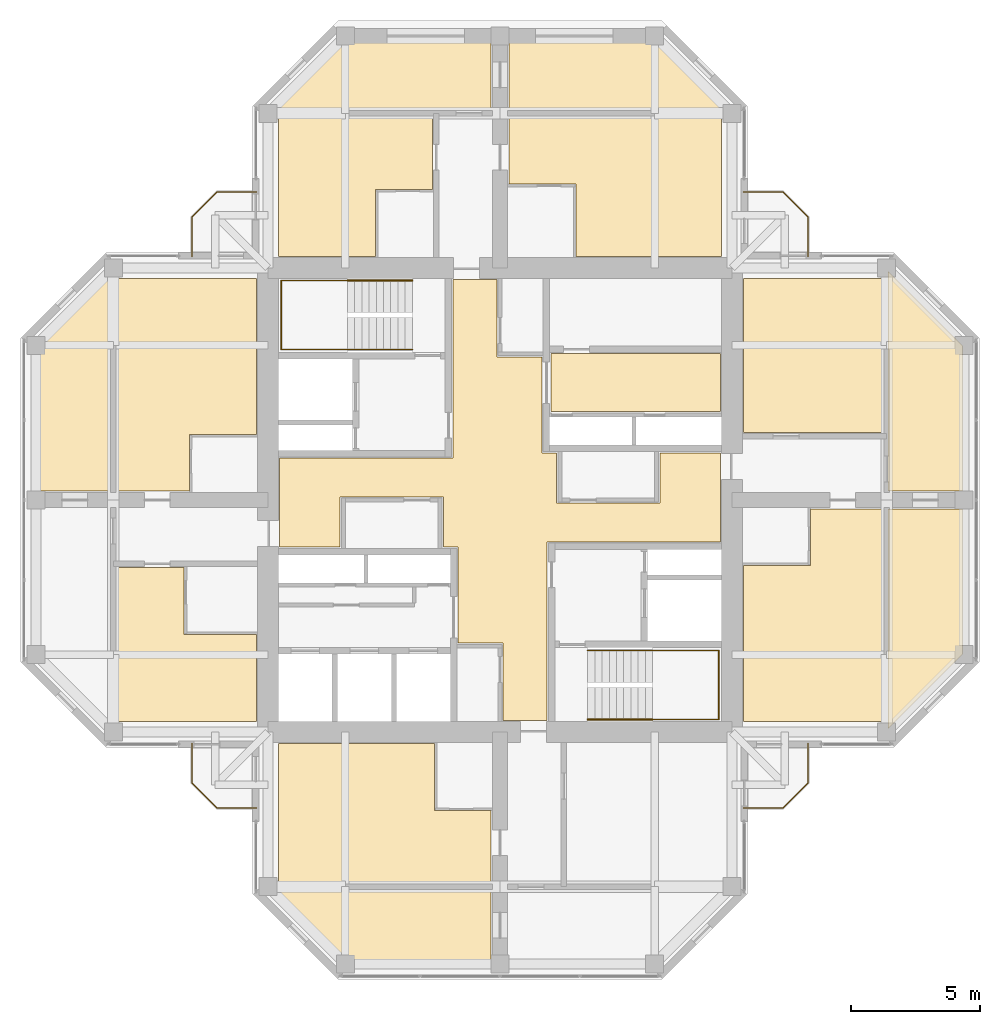
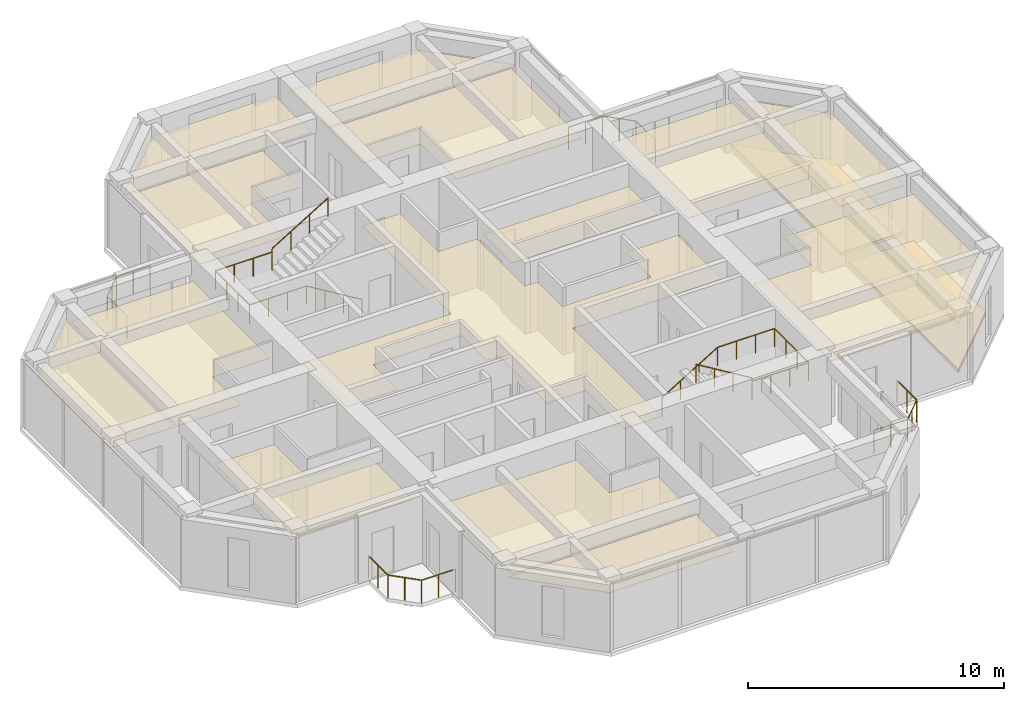
# One storey, part 13 of 13: 17 coverings, 8 railings.
"""IFC4 building model written with IfcOpenShell, lengths in metres."""

from ifc_helpers import new_model, si_unit, direction, frame, origin, origin_2d, place, context, subcontext, project, spatial, polyline, circle, outline, extrude, material, layer, layer_set, constituent, constituent_set, type_object, element, save


model = new_model("IFC4")

# Units and contexts
model_context = context("Model", 3, precision=1e-05, world=origin(), true_north=direction((0.0, 1.0)))
body_context = subcontext(model_context, "Body", "Model", "MODEL_VIEW")
ifc_project = project(units=[si_unit("LENGTHUNIT", "METRE"), si_unit("AREAUNIT", "SQUARE_METRE"), si_unit("VOLUMEUNIT", "CUBIC_METRE"), si_unit("PLANEANGLEUNIT", "RADIAN"), si_unit("MASSUNIT", "GRAM", prefix="KILO")], contexts=[model_context])

# Site, building, storey
site_placement = place(None, origin())
site = spatial("IfcSite", under=ifc_project, at=site_placement, CompositionType="ELEMENT")
building_placement = place(site_placement, origin())
building = spatial("IfcBuilding", under=site, at=building_placement, Name="Torre Cruceta", CompositionType="ELEMENT")
storey_placement = place(building_placement, frame((0.0, 0.0, 267.89990234375)))
storey = spatial("IfcBuildingStorey", under=building, at=storey_placement, Name="L69", CompositionType="ELEMENT", Elevation=267.89990234375)

# Railings
ifc_material_1 = material(Name="Stainless steel 1.4401", Category="steel")
ifc_constituent_1 = constituent(ifc_material_1, Name="Frame")
ifc_material_2 = material(Name="Laminated safety glass", Category="glass")
ifc_constituent_2 = constituent(ifc_material_2, Name="Infill")
ifc_constituent_set_1 = constituent_set(constituents=[ifc_constituent_1, ifc_constituent_2], Name="Stainless steel and laminated glass balustrade")
railing_type_1 = type_object("IfcRailingType", Name="BALCONY BALUSTRADE 1100", PredefinedType="BALUSTRADE", material=ifc_constituent_set_1)
railing_1_placement = place(storey_placement, frame((-9.449951171875, 11.949951171875, 0.0)))
element("IfcRailing", 1, at=railing_1_placement, inside=storey, type_object=railing_type_1, Name="BL1 balcony balustrade L69 N", PredefinedType="BALUSTRADE", context=body_context, shape_type="SweptSolid", body=[
    extrude(circle(Radius=0.02392578125, at=origin_2d()), frame((0.0, 0.0, 1.076171875), z_axis=(-1.0, 0.0, 0.0), x_axis=(0.0, -1.0, 0.0)), (0.0, 0.0, 1.0), 1.529296875),
    extrude(circle(Radius=0.02392578125, at=origin_2d()), frame((-1.529296875, 0.0, 1.076171875), z_axis=(-0.707106781187, -0.707106781187, 0.0), x_axis=(0.707106781187, -0.707106781187, 0.0)), (0.0, 0.0, 1.0), 1.372802734375),
    extrude(circle(Radius=0.02392578125, at=origin_2d()), frame((-2.5, -0.970703125, 1.076171875), z_axis=(0.0, -1.0, 0.0), x_axis=(1.0, 0.0, 0.0)), (0.0, 0.0, 1.0), 1.529296875),
    extrude(circle(Radius=0.02099609375, at=origin_2d()), origin(), (0.0, 0.0, 1.0), 1.052001953125),
    extrude(circle(Radius=0.02099609375, at=origin_2d()), frame((-0.7646484375, 0.0, 0.0)), (0.0, 0.0, 1.0), 1.052001953125),
    extrude(circle(Radius=0.02099609375, at=origin_2d()), frame((-1.529296875, 0.0, 0.0)), (0.0, 0.0, 1.0), 1.052001953125),
    extrude(circle(Radius=0.02099609375, at=origin_2d()), frame((-2.0146484375, -0.4853515625, 0.0)), (0.0, 0.0, 1.0), 1.052001953125),
    extrude(circle(Radius=0.02099609375, at=origin_2d()), frame((-2.5, -0.970703125, 0.0)), (0.0, 0.0, 1.0), 1.052001953125),
    extrude(circle(Radius=0.02099609375, at=origin_2d()), frame((-2.5, -1.7353515625, 0.0)), (0.0, 0.0, 1.0), 1.052001953125),
    extrude(circle(Radius=0.02099609375, at=origin_2d()), frame((-2.5, -2.5, 0.0)), (0.0, 0.0, 1.0), 1.052001953125),
])
railing_2_placement = place(storey_placement, frame((9.449951171875, 11.949951171875, 0.0)))
element("IfcRailing", 2, at=railing_2_placement, inside=storey, type_object=railing_type_1, Name="BL1 balcony balustrade L69 E", PredefinedType="BALUSTRADE", context=body_context, shape_type="SweptSolid", body=[
    extrude(circle(Radius=0.02392578125, at=origin_2d()), frame((0.0, 0.0, 1.076171875), z_axis=(1.0, 0.0, 0.0), x_axis=(0.0, 1.0, 0.0)), (0.0, 0.0, 1.0), 1.529296875),
    extrude(circle(Radius=0.02392578125, at=origin_2d()), frame((1.529296875, 0.0, 1.076171875), z_axis=(0.707106781187, -0.707106781187, 0.0), x_axis=(0.707106781187, 0.707106781187, 0.0)), (0.0, 0.0, 1.0), 1.372802734375),
    extrude(circle(Radius=0.02392578125, at=origin_2d()), frame((2.5, -0.970703125, 1.076171875), z_axis=(0.0, -1.0, 0.0), x_axis=(1.0, 0.0, 0.0)), (0.0, 0.0, 1.0), 1.529296875),
    extrude(circle(Radius=0.02099609375, at=origin_2d()), origin(), (0.0, 0.0, 1.0), 1.052001953125),
    extrude(circle(Radius=0.02099609375, at=origin_2d()), frame((0.7646484375, 0.0, 0.0)), (0.0, 0.0, 1.0), 1.052001953125),
    extrude(circle(Radius=0.02099609375, at=origin_2d()), frame((1.529296875, 0.0, 0.0)), (0.0, 0.0, 1.0), 1.052001953125),
    extrude(circle(Radius=0.02099609375, at=origin_2d()), frame((2.0146484375, -0.4853515625, 0.0)), (0.0, 0.0, 1.0), 1.052001953125),
    extrude(circle(Radius=0.02099609375, at=origin_2d()), frame((2.5, -0.970703125, 0.0)), (0.0, 0.0, 1.0), 1.052001953125),
    extrude(circle(Radius=0.02099609375, at=origin_2d()), frame((2.5, -1.7353515625, 0.0)), (0.0, 0.0, 1.0), 1.052001953125),
    extrude(circle(Radius=0.02099609375, at=origin_2d()), frame((2.5, -2.5, 0.0)), (0.0, 0.0, 1.0), 1.052001953125),
])
railing_3_placement = place(storey_placement, frame((9.449951171875, -11.949951171875, 0.0)))
element("IfcRailing", 3, at=railing_3_placement, inside=storey, type_object=railing_type_1, Name="BL1 balcony balustrade L69 S", PredefinedType="BALUSTRADE", context=body_context, shape_type="SweptSolid", body=[
    extrude(circle(Radius=0.02392578125, at=origin_2d()), frame((0.0, 0.0, 1.076171875), z_axis=(1.0, 0.0, 0.0), x_axis=(0.0, 1.0, 0.0)), (0.0, 0.0, 1.0), 1.529296875),
    extrude(circle(Radius=0.02392578125, at=origin_2d()), frame((1.529296875, 0.0, 1.076171875), z_axis=(0.707106781187, 0.707106781187, 0.0), x_axis=(-0.707106781187, 0.707106781187, 0.0)), (0.0, 0.0, 1.0), 1.372802734375),
    extrude(circle(Radius=0.02392578125, at=origin_2d()), frame((2.5, 0.970703125, 1.076171875), z_axis=(0.0, 1.0, 0.0), x_axis=(-1.0, 0.0, 0.0)), (0.0, 0.0, 1.0), 1.529296875),
    extrude(circle(Radius=0.02099609375, at=origin_2d()), origin(), (0.0, 0.0, 1.0), 1.052001953125),
    extrude(circle(Radius=0.02099609375, at=origin_2d()), frame((0.7646484375, 0.0, 0.0)), (0.0, 0.0, 1.0), 1.052001953125),
    extrude(circle(Radius=0.02099609375, at=origin_2d()), frame((1.529296875, 0.0, 0.0)), (0.0, 0.0, 1.0), 1.052001953125),
    extrude(circle(Radius=0.02099609375, at=origin_2d()), frame((2.0146484375, 0.4853515625, 0.0)), (0.0, 0.0, 1.0), 1.052001953125),
    extrude(circle(Radius=0.02099609375, at=origin_2d()), frame((2.5, 0.970703125, 0.0)), (0.0, 0.0, 1.0), 1.052001953125),
    extrude(circle(Radius=0.02099609375, at=origin_2d()), frame((2.5, 1.7353515625, 0.0)), (0.0, 0.0, 1.0), 1.052001953125),
    extrude(circle(Radius=0.02099609375, at=origin_2d()), frame((2.5, 2.5, 0.0)), (0.0, 0.0, 1.0), 1.052001953125),
])
railing_4_placement = place(storey_placement, frame((-9.449951171875, -11.949951171875, 0.0)))
element("IfcRailing", 4, at=railing_4_placement, inside=storey, type_object=railing_type_1, Name="BL1 balcony balustrade L69 W", PredefinedType="BALUSTRADE", context=body_context, shape_type="SweptSolid", body=[
    extrude(circle(Radius=0.02392578125, at=origin_2d()), frame((0.0, 0.0, 1.076171875), z_axis=(-1.0, 0.0, 0.0), x_axis=(0.0, -1.0, 0.0)), (0.0, 0.0, 1.0), 1.529296875),
    extrude(circle(Radius=0.02392578125, at=origin_2d()), frame((-1.529296875, 0.0, 1.076171875), z_axis=(-0.707106781187, 0.707106781187, 0.0), x_axis=(-0.707106781187, -0.707106781187, 0.0)), (0.0, 0.0, 1.0), 1.372802734375),
    extrude(circle(Radius=0.02392578125, at=origin_2d()), frame((-2.5, 0.970703125, 1.076171875), z_axis=(0.0, 1.0, 0.0), x_axis=(-1.0, 0.0, 0.0)), (0.0, 0.0, 1.0), 1.529296875),
    extrude(circle(Radius=0.02099609375, at=origin_2d()), origin(), (0.0, 0.0, 1.0), 1.052001953125),
    extrude(circle(Radius=0.02099609375, at=origin_2d()), frame((-0.7646484375, 0.0, 0.0)), (0.0, 0.0, 1.0), 1.052001953125),
    extrude(circle(Radius=0.02099609375, at=origin_2d()), frame((-1.529296875, 0.0, 0.0)), (0.0, 0.0, 1.0), 1.052001953125),
    extrude(circle(Radius=0.02099609375, at=origin_2d()), frame((-2.0146484375, 0.4853515625, 0.0)), (0.0, 0.0, 1.0), 1.052001953125),
    extrude(circle(Radius=0.02099609375, at=origin_2d()), frame((-2.5, 0.970703125, 0.0)), (0.0, 0.0, 1.0), 1.052001953125),
    extrude(circle(Radius=0.02099609375, at=origin_2d()), frame((-2.5, 1.7353515625, 0.0)), (0.0, 0.0, 1.0), 1.052001953125),
    extrude(circle(Radius=0.02099609375, at=origin_2d()), frame((-2.5, 2.5, 0.0)), (0.0, 0.0, 1.0), 1.052001953125),
])
ifc_material_3 = material(Name="Stainless steel 1.4401", Category="steel")
railing_type_2 = type_object("IfcRailingType", Name="HANDRAIL 900", PredefinedType="HANDRAIL", material=ifc_material_3)
railing_5_placement = place(storey_placement, frame((-3.39990234375, 5.8349609375, 0.170166015625)))
element("IfcRailing", 5, at=railing_5_placement, inside=storey, type_object=railing_type_2, Name="Handrail HR1 ST1 L69", PredefinedType="HANDRAIL", context=body_context, shape_type="SweptSolid", body=[
    extrude(circle(Radius=0.02392578125, at=origin_2d()), frame((0.0, 0.0, 0.8759765625), z_axis=(-0.85478489116, 0.0, 0.518982456201), x_axis=(0.0, -1.0, 0.0)), (0.0, 0.0, 1.0), 2.9482421875),
    extrude(circle(Radius=0.02392578125, at=origin_2d()), frame((-2.52001953125, 0.0, 2.40576171875), z_axis=(-1.0, 0.0, 0.0), x_axis=(0.0, -1.0, 0.0)), (0.0, 0.0, 1.0), 2.570068359375),
    extrude(circle(Radius=0.02392578125, at=origin_2d()), frame((-5.090087890625, 0.0, 2.40576171875), z_axis=(0.0, 1.0, 0.0), x_axis=(-1.0, 0.0, 0.0)), (0.0, 0.0, 1.0), 2.679931640625),
    extrude(circle(Radius=0.02392578125, at=origin_2d()), frame((-5.090087890625, 2.679931640625, 2.40576171875), z_axis=(1.0, 0.0, 0.0), x_axis=(0.0, 1.0, 0.0)), (0.0, 0.0, 1.0), 2.570068359375),
    extrude(circle(Radius=0.02099609375, at=origin_2d()), origin(), (0.0, 0.0, 1.0), 0.851806640625),
    extrude(circle(Radius=0.02099609375, at=origin_2d()), frame((-0.840087890625, 0.0, 0.510009765625)), (0.0, 0.0, 1.0), 0.851806640625),
    extrude(circle(Radius=0.02099609375, at=origin_2d()), frame((-1.679931640625, 0.0, 1.02001953125)), (0.0, 0.0, 1.0), 0.851806640625),
    extrude(circle(Radius=0.02099609375, at=origin_2d()), frame((-2.52001953125, 0.0, 1.530029296875)), (0.0, 0.0, 1.0), 0.851806640625),
    extrude(circle(Radius=0.02099609375, at=origin_2d()), frame((-3.376708984375, 0.0, 1.530029296875)), (0.0, 0.0, 1.0), 0.851806640625),
    extrude(circle(Radius=0.02099609375, at=origin_2d()), frame((-4.2333984375, 0.0, 1.530029296875)), (0.0, 0.0, 1.0), 0.851806640625),
    extrude(circle(Radius=0.02099609375, at=origin_2d()), frame((-5.090087890625, 0.0, 1.530029296875)), (0.0, 0.0, 1.0), 0.851806640625),
    extrude(circle(Radius=0.02099609375, at=origin_2d()), frame((-5.090087890625, 0.893310546875, 1.530029296875)), (0.0, 0.0, 1.0), 0.851806640625),
    extrude(circle(Radius=0.02099609375, at=origin_2d()), frame((-5.090087890625, 1.78662109375, 1.530029296875)), (0.0, 0.0, 1.0), 0.851806640625),
    extrude(circle(Radius=0.02099609375, at=origin_2d()), frame((-5.090087890625, 2.679931640625, 1.530029296875)), (0.0, 0.0, 1.0), 0.851806640625),
    extrude(circle(Radius=0.02099609375, at=origin_2d()), frame((-4.2333984375, 2.679931640625, 1.530029296875)), (0.0, 0.0, 1.0), 0.851806640625),
    extrude(circle(Radius=0.02099609375, at=origin_2d()), frame((-3.376708984375, 2.679931640625, 1.530029296875)), (0.0, 0.0, 1.0), 0.851806640625),
    extrude(circle(Radius=0.02099609375, at=origin_2d()), frame((-2.52001953125, 2.679931640625, 1.530029296875)), (0.0, 0.0, 1.0), 0.851806640625),
])
railing_6_placement = place(storey_placement, frame((-5.919921875, 8.514892578125, 1.8701171875)))
element("IfcRailing", 6, at=railing_6_placement, inside=storey, type_object=railing_type_2, Name="Handrail HR1 ST1 L69", PredefinedType="HANDRAIL", context=body_context, shape_type="SweptSolid", body=[
    extrude(circle(Radius=0.02392578125, at=origin_2d()), frame((0.0, 0.0, 0.8759765625), z_axis=(0.85478489116, 0.0, 0.518982456201), x_axis=(0.0, 1.0, 0.0)), (0.0, 0.0, 1.0), 2.9482421875),
    extrude(circle(Radius=0.02099609375, at=origin_2d()), origin(), (0.0, 0.0, 1.0), 0.851806640625),
    extrude(circle(Radius=0.02099609375, at=origin_2d()), frame((0.840087890625, 0.0, 0.510009765625)), (0.0, 0.0, 1.0), 0.851806640625),
    extrude(circle(Radius=0.02099609375, at=origin_2d()), frame((1.679931640625, 0.0, 1.02001953125)), (0.0, 0.0, 1.0), 0.851806640625),
    extrude(circle(Radius=0.02099609375, at=origin_2d()), frame((2.52001953125, 0.0, 1.530029296875)), (0.0, 0.0, 1.0), 0.851806640625),
])
railing_7_placement = place(storey_placement, frame((3.39990234375, -5.8349609375, 0.170166015625)))
element("IfcRailing", 7, at=railing_7_placement, inside=storey, type_object=railing_type_2, Name="Handrail HR1 ST2 L69", PredefinedType="HANDRAIL", context=body_context, shape_type="SweptSolid", body=[
    extrude(circle(Radius=0.02392578125, at=origin_2d()), frame((0.0, 0.0, 0.8759765625), z_axis=(0.85478489116, 0.0, 0.518982456201), x_axis=(0.0, 1.0, 0.0)), (0.0, 0.0, 1.0), 2.9482421875),
    extrude(circle(Radius=0.02392578125, at=origin_2d()), frame((2.52001953125, 0.0, 2.40576171875), z_axis=(1.0, 0.0, 0.0), x_axis=(0.0, 1.0, 0.0)), (0.0, 0.0, 1.0), 2.570068359375),
    extrude(circle(Radius=0.02392578125, at=origin_2d()), frame((5.090087890625, 0.0, 2.40576171875), z_axis=(0.0, -1.0, 0.0), x_axis=(1.0, 0.0, 0.0)), (0.0, 0.0, 1.0), 2.679931640625),
    extrude(circle(Radius=0.02392578125, at=origin_2d()), frame((5.090087890625, -2.679931640625, 2.40576171875), z_axis=(-1.0, 0.0, 0.0), x_axis=(0.0, -1.0, 0.0)), (0.0, 0.0, 1.0), 2.570068359375),
    extrude(circle(Radius=0.02099609375, at=origin_2d()), origin(), (0.0, 0.0, 1.0), 0.851806640625),
    extrude(circle(Radius=0.02099609375, at=origin_2d()), frame((0.840087890625, 0.0, 0.510009765625)), (0.0, 0.0, 1.0), 0.851806640625),
    extrude(circle(Radius=0.02099609375, at=origin_2d()), frame((1.679931640625, 0.0, 1.02001953125)), (0.0, 0.0, 1.0), 0.851806640625),
    extrude(circle(Radius=0.02099609375, at=origin_2d()), frame((2.52001953125, 0.0, 1.530029296875)), (0.0, 0.0, 1.0), 0.851806640625),
    extrude(circle(Radius=0.02099609375, at=origin_2d()), frame((3.376708984375, 0.0, 1.530029296875)), (0.0, 0.0, 1.0), 0.851806640625),
    extrude(circle(Radius=0.02099609375, at=origin_2d()), frame((4.2333984375, 0.0, 1.530029296875)), (0.0, 0.0, 1.0), 0.851806640625),
    extrude(circle(Radius=0.02099609375, at=origin_2d()), frame((5.090087890625, 0.0, 1.530029296875)), (0.0, 0.0, 1.0), 0.851806640625),
    extrude(circle(Radius=0.02099609375, at=origin_2d()), frame((5.090087890625, -0.893310546875, 1.530029296875)), (0.0, 0.0, 1.0), 0.851806640625),
    extrude(circle(Radius=0.02099609375, at=origin_2d()), frame((5.090087890625, -1.78662109375, 1.530029296875)), (0.0, 0.0, 1.0), 0.851806640625),
    extrude(circle(Radius=0.02099609375, at=origin_2d()), frame((5.090087890625, -2.679931640625, 1.530029296875)), (0.0, 0.0, 1.0), 0.851806640625),
    extrude(circle(Radius=0.02099609375, at=origin_2d()), frame((4.2333984375, -2.679931640625, 1.530029296875)), (0.0, 0.0, 1.0), 0.851806640625),
    extrude(circle(Radius=0.02099609375, at=origin_2d()), frame((3.376708984375, -2.679931640625, 1.530029296875)), (0.0, 0.0, 1.0), 0.851806640625),
    extrude(circle(Radius=0.02099609375, at=origin_2d()), frame((2.52001953125, -2.679931640625, 1.530029296875)), (0.0, 0.0, 1.0), 0.851806640625),
])
railing_8_placement = place(storey_placement, frame((5.919921875, -8.514892578125, 1.8701171875)))
element("IfcRailing", 8, at=railing_8_placement, inside=storey, type_object=railing_type_2, Name="Handrail HR1 ST2 L69", PredefinedType="HANDRAIL", context=body_context, shape_type="SweptSolid", body=[
    extrude(circle(Radius=0.02392578125, at=origin_2d()), frame((0.0, 0.0, 0.8759765625), z_axis=(-0.85478489116, 0.0, 0.518982456201), x_axis=(0.0, -1.0, 0.0)), (0.0, 0.0, 1.0), 2.9482421875),
    extrude(circle(Radius=0.02099609375, at=origin_2d()), origin(), (0.0, 0.0, 1.0), 0.851806640625),
    extrude(circle(Radius=0.02099609375, at=origin_2d()), frame((-0.840087890625, 0.0, 0.510009765625)), (0.0, 0.0, 1.0), 0.851806640625),
    extrude(circle(Radius=0.02099609375, at=origin_2d()), frame((-1.679931640625, 0.0, 1.02001953125)), (0.0, 0.0, 1.0), 0.851806640625),
    extrude(circle(Radius=0.02099609375, at=origin_2d()), frame((-2.52001953125, 0.0, 1.530029296875)), (0.0, 0.0, 1.0), 0.851806640625),
])

# Coverings
ifc_material_4 = material(Name="Steel DX51D", Category="steel")
ifc_constituent_3 = constituent(ifc_material_4, Name="Panel casing")
ifc_material_5 = material(Name="Calcium sulphate", Category="gypsum")
ifc_constituent_4 = constituent(ifc_material_5, Name="Panel core")
ifc_constituent_set_2 = constituent_set(constituents=[ifc_constituent_3, ifc_constituent_4], Name="Raised access floor panel")
covering_type_1 = type_object("IfcCoveringType", Name="RAISED ACCESS FLOOR 150", PredefinedType="FLOORING", material=ifc_constituent_set_2)
covering_1_placement = place(storey_placement, origin())
element("IfcCovering", 9, at=covering_1_placement, inside=storey, type_object=covering_type_1, Name="Raised floor L69-036", PredefinedType="FLOORING", context=body_context, shape_type="SweptSolid", body=[
    extrude(outline(polyline([(17.949951171875, 5.979248046875), (17.949951171875, 0.35009765625), (15.050048828125, 0.35009765625), (15.050048828125, 8.87939453125), (17.949951171875, 5.979248046875)])), origin(), (0.0, 0.0, 1.0), 0.150146484375),
])
covering_2_placement = place(storey_placement, origin())
element("IfcCovering", 10, at=covering_2_placement, inside=storey, type_object=covering_type_1, Name="Raised floor L69-037", PredefinedType="FLOORING", context=body_context, shape_type="SweptSolid", body=[
    extrude(outline(polyline([(15.050048828125, -8.87939453125), (15.050048828125, -0.35009765625), (17.949951171875, -0.35009765625), (17.949951171875, -5.979248046875), (15.050048828125, -8.87939453125)])), origin(), (0.0, 0.0, 1.0), 0.150146484375),
])
ifc_material_6 = material(Name="Mineral fibre ceiling tile", Category="gypsum")
ifc_layer = layer(ifc_material_6, 0.02001953125)
ifc_layer_set = layer_set([ifc_layer], Name="Mineral fibre ceiling tile")
covering_type_2 = type_object("IfcCoveringType", Name="SUSPENDED CEILING 20", PredefinedType="CEILING", material=ifc_layer_set)
covering_3_placement = place(storey_placement, frame((0.0, 0.0, 2.35009765625)))
element("IfcCovering", 11, at=covering_3_placement, inside=storey, type_object=covering_type_2, Name="Ceiling L69-002", PredefinedType="CEILING", context=body_context, shape_type="SweptSolid", body=[
    extrude(outline(polyline([(1.824951171875, -8.550048828125), (0.125, -8.550048828125), (0.125, -5.550048828125), (-1.625, -5.550048828125), (-1.625, -1.824951171875), (-2.199951171875, -1.824951171875), (-2.199951171875, 0.125), (-6.199951171875, 0.125), (-6.199951171875, -1.824951171875), (-8.550048828125, -1.824951171875), (-8.550048828125, 1.625), (-1.824951171875, 1.625), (-1.824951171875, 8.550048828125), (-0.125, 8.550048828125), (-0.125, 5.550048828125), (1.625, 5.550048828125), (1.625, 1.824951171875), (2.199951171875, 1.824951171875), (2.199951171875, -0.125), (6.199951171875, -0.125), (6.199951171875, 1.824951171875), (8.550048828125, 1.824951171875), (8.550048828125, -1.625), (1.824951171875, -1.625), (1.824951171875, -8.550048828125)])), origin(), (0.0, 0.0, 1.0), 0.02001953125),
])
covering_4_placement = place(storey_placement, frame((0.0, 0.0, 2.35009765625)))
element("IfcCovering", 12, at=covering_4_placement, inside=storey, type_object=covering_type_2, Name="Ceiling L69-007", PredefinedType="CEILING", context=body_context, shape_type="SweptSolid", body=[
    extrude(outline(polyline([(1.97509765625, 3.425048828125), (1.97509765625, 5.675048828125), (8.550048828125, 5.675048828125), (8.550048828125, 3.425048828125), (1.97509765625, 3.425048828125)])), origin(), (0.0, 0.0, 1.0), 0.02001953125),
])
covering_5_placement = place(storey_placement, frame((0.0, 0.0, 2.35009765625)))
element("IfcCovering", 13, at=covering_5_placement, inside=storey, type_object=covering_type_2, Name="Ceiling L69-026", PredefinedType="CEILING", context=body_context, shape_type="SweptSolid", body=[
    extrude(outline(polyline([(-8.60009765625, 9.449951171875), (-8.60009765625, 14.949951171875), (-2.625, 14.949951171875), (-2.625, 12.050048828125), (-4.824951171875, 12.050048828125), (-4.824951171875, 9.449951171875), (-8.60009765625, 9.449951171875)])), origin(), (0.0, 0.0, 1.0), 0.02001953125),
])
covering_6_placement = place(storey_placement, frame((0.0, 0.0, 2.35009765625)))
element("IfcCovering", 14, at=covering_6_placement, inside=storey, type_object=covering_type_2, Name="Ceiling L69-028", PredefinedType="CEILING", context=body_context, shape_type="SweptSolid", body=[
    extrude(outline(polyline([(0.35009765625, 14.949951171875), (8.60009765625, 14.949951171875), (8.60009765625, 9.449951171875), (2.949951171875, 9.449951171875), (2.949951171875, 12.25), (0.35009765625, 12.25), (0.35009765625, 14.949951171875)])), origin(), (0.0, 0.0, 1.0), 0.02001953125),
])
covering_7_placement = place(storey_placement, frame((0.0, 0.0, 2.35009765625)))
element("IfcCovering", 15, at=covering_7_placement, inside=storey, type_object=covering_type_2, Name="Ceiling L69-030", PredefinedType="CEILING", context=body_context, shape_type="SweptSolid", body=[
    extrude(outline(polyline([(-5.979248046875, 17.949951171875), (-0.35009765625, 17.949951171875), (-0.35009765625, 15.050048828125), (-8.87939453125, 15.050048828125), (-5.979248046875, 17.949951171875)])), origin(), (0.0, 0.0, 1.0), 0.02001953125),
])
covering_8_placement = place(storey_placement, frame((0.0, 0.0, 2.35009765625)))
element("IfcCovering", 16, at=covering_8_placement, inside=storey, type_object=covering_type_2, Name="Ceiling L69-031", PredefinedType="CEILING", context=body_context, shape_type="SweptSolid", body=[
    extrude(outline(polyline([(8.87939453125, 15.050048828125), (0.35009765625, 15.050048828125), (0.35009765625, 17.949951171875), (5.979248046875, 17.949951171875), (8.87939453125, 15.050048828125)])), origin(), (0.0, 0.0, 1.0), 0.02001953125),
])
covering_9_placement = place(storey_placement, frame((0.0, 0.0, 2.35009765625)))
element("IfcCovering", 17, at=covering_9_placement, inside=storey, type_object=covering_type_2, Name="Ceiling L69-033", PredefinedType="CEILING", context=body_context, shape_type="SweptSolid", body=[
    extrude(outline(polyline([(9.449951171875, 2.625), (9.449951171875, 8.60009765625), (14.949951171875, 8.60009765625), (14.949951171875, 2.625), (9.449951171875, 2.625)])), origin(), (0.0, 0.0, 1.0), 0.02001953125),
])
covering_10_placement = place(storey_placement, frame((0.0, 0.0, 2.35009765625)))
element("IfcCovering", 18, at=covering_10_placement, inside=storey, type_object=covering_type_2, Name="Ceiling L69-034", PredefinedType="CEILING", context=body_context, shape_type="SweptSolid", body=[
    extrude(outline(polyline([(14.949951171875, -0.35009765625), (14.949951171875, -8.60009765625), (9.449951171875, -8.60009765625), (9.449951171875, -2.550048828125), (12.050048828125, -2.550048828125), (12.050048828125, -0.35009765625), (14.949951171875, -0.35009765625)])), origin(), (0.0, 0.0, 1.0), 0.02001953125),
])
covering_11_placement = place(storey_placement, frame((0.0, 0.0, 2.35009765625)))
element("IfcCovering", 19, at=covering_11_placement, inside=storey, type_object=covering_type_2, Name="Ceiling L69-036", PredefinedType="CEILING", context=body_context, shape_type="SweptSolid", body=[
    extrude(outline(polyline([(17.949951171875, 5.979248046875), (17.949951171875, 0.35009765625), (15.050048828125, 0.35009765625), (15.050048828125, 8.87939453125), (17.949951171875, 5.979248046875)])), origin(), (0.0, 0.0, 1.0), 0.02001953125),
])
covering_12_placement = place(storey_placement, frame((0.0, 0.0, 2.35009765625)))
element("IfcCovering", 20, at=covering_12_placement, inside=storey, type_object=covering_type_2, Name="Ceiling L69-037", PredefinedType="CEILING", context=body_context, shape_type="SweptSolid", body=[
    extrude(outline(polyline([(15.050048828125, -8.87939453125), (15.050048828125, -0.35009765625), (17.949951171875, -0.35009765625), (17.949951171875, -5.979248046875), (15.050048828125, -8.87939453125)])), origin(), (0.0, 0.0, 1.0), 0.02001953125),
])
covering_13_placement = place(storey_placement, frame((0.0, 0.0, 2.35009765625)))
element("IfcCovering", 21, at=covering_13_placement, inside=storey, type_object=covering_type_2, Name="Ceiling L69-040", PredefinedType="CEILING", context=body_context, shape_type="SweptSolid", body=[
    extrude(outline(polyline([(-0.35009765625, -14.949951171875), (-8.60009765625, -14.949951171875), (-8.60009765625, -9.449951171875), (-2.550048828125, -9.449951171875), (-2.550048828125, -12.050048828125), (-0.35009765625, -12.050048828125), (-0.35009765625, -14.949951171875)])), origin(), (0.0, 0.0, 1.0), 0.02001953125),
])
covering_14_placement = place(storey_placement, frame((0.0, 0.0, 2.35009765625)))
element("IfcCovering", 22, at=covering_14_placement, inside=storey, type_object=covering_type_2, Name="Ceiling L69-043", PredefinedType="CEILING", context=body_context, shape_type="SweptSolid", body=[
    extrude(outline(polyline([(-8.87939453125, -15.050048828125), (-0.35009765625, -15.050048828125), (-0.35009765625, -17.949951171875), (-5.979248046875, -17.949951171875), (-8.87939453125, -15.050048828125)])), origin(), (0.0, 0.0, 1.0), 0.02001953125),
])
covering_15_placement = place(storey_placement, frame((0.0, 0.0, 2.35009765625)))
element("IfcCovering", 23, at=covering_15_placement, inside=storey, type_object=covering_type_2, Name="Ceiling L69-045", PredefinedType="CEILING", context=body_context, shape_type="SweptSolid", body=[
    extrude(outline(polyline([(-9.449951171875, -8.60009765625), (-14.949951171875, -8.60009765625), (-14.949951171875, -2.625), (-12.25, -2.625), (-12.25, -5.22509765625), (-9.449951171875, -5.22509765625), (-9.449951171875, -8.60009765625)])), origin(), (0.0, 0.0, 1.0), 0.02001953125),
])
covering_16_placement = place(storey_placement, frame((0.0, 0.0, 2.35009765625)))
element("IfcCovering", 24, at=covering_16_placement, inside=storey, type_object=covering_type_2, Name="Ceiling L69-047", PredefinedType="CEILING", context=body_context, shape_type="SweptSolid", body=[
    extrude(outline(polyline([(-14.949951171875, 0.35009765625), (-14.949951171875, 8.60009765625), (-9.449951171875, 8.60009765625), (-9.449951171875, 2.550048828125), (-12.050048828125, 2.550048828125), (-12.050048828125, 0.35009765625), (-14.949951171875, 0.35009765625)])), origin(), (0.0, 0.0, 1.0), 0.02001953125),
])
covering_17_placement = place(storey_placement, frame((0.0, 0.0, 2.35009765625)))
element("IfcCovering", 25, at=covering_17_placement, inside=storey, type_object=covering_type_2, Name="Ceiling L69-050", PredefinedType="CEILING", context=body_context, shape_type="SweptSolid", body=[
    extrude(outline(polyline([(-15.050048828125, 8.87939453125), (-15.050048828125, 0.35009765625), (-17.949951171875, 0.35009765625), (-17.949951171875, 5.979248046875), (-15.050048828125, 8.87939453125)])), origin(), (0.0, 0.0, 1.0), 0.02001953125),
])

save(model, "model.ifc")
